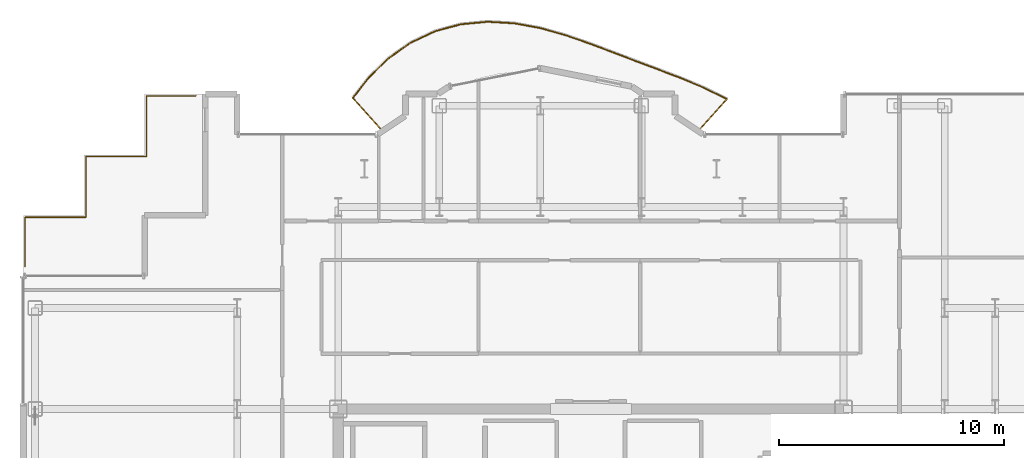
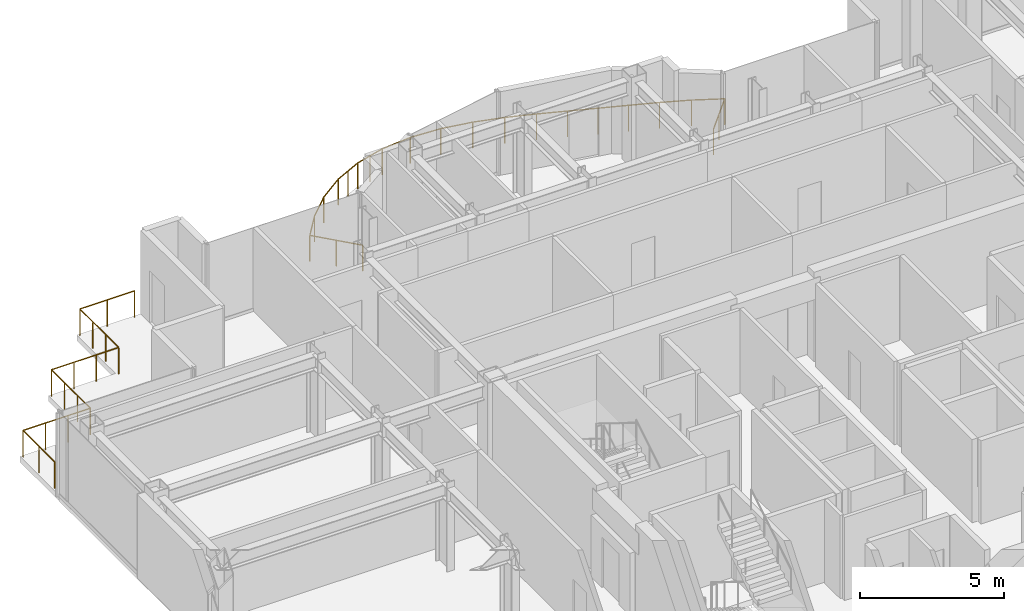
# One storey, part 22 of 22: 2 railings.
"""IFC4 building model written with IfcOpenShell, lengths in metres."""

from ifc_helpers import new_model, si_unit, direction, frame, origin, origin_2d, place, context, subcontext, project, spatial, circle, extrude, material, type_object, element, save


model = new_model("IFC4")

# Units and contexts
model_context = context("Model", 3, precision=1e-05, world=origin(), true_north=direction((0.0, 1.0)))
body_context = subcontext(model_context, "Body", "Model", "MODEL_VIEW")
ifc_project = project(units=[si_unit("LENGTHUNIT", "METRE"), si_unit("AREAUNIT", "SQUARE_METRE"), si_unit("VOLUMEUNIT", "CUBIC_METRE"), si_unit("PLANEANGLEUNIT", "RADIAN"), si_unit("MASSUNIT", "GRAM", prefix="KILO")], contexts=[model_context])

# Site, building, storey
site_placement = place(None, origin())
site = spatial("IfcSite", under=ifc_project, at=site_placement, CompositionType="ELEMENT")
building_placement = place(site_placement, origin())
building = spatial("IfcBuilding", under=site, at=building_placement, Name="Nefas-Gora Pilgrimage Tower", CompositionType="ELEMENT")
storey_placement = place(building_placement, frame((0.0, 0.0, 240.800048828125)))
storey = spatial("IfcBuildingStorey", under=building, at=storey_placement, Name="L60", CompositionType="ELEMENT", Elevation=240.800048828125)

# Railings
ifc_material = material(Name="Laminated safety glass and stainless steel", Category="steel")
railing_type_1 = type_object("IfcRailingType", Name="RLG-BAL-1100", PredefinedType="BALUSTRADE", material=ifc_material)
railing_1_placement = place(storey_placement, frame((4.802490234375, 21.402587890625, 0.0)))
element("IfcRailing", 1, at=railing_1_placement, inside=storey, type_object=railing_type_1, Name="L60 Wave Balcony Balustrade N1", PredefinedType="BALUSTRADE", context=body_context, shape_type="SweptSolid", body=[
    extrude(circle(Radius=0.02392578125, at=origin_2d()), frame((0.0, 0.0, 1.09619140625), z_axis=(0.669129721026, 0.743145622634, 0.0), x_axis=(-0.743145622634, 0.669129721026, 0.0)), (0.0, 0.0, 1.0), 1.880126953125),
    extrude(circle(Radius=0.02392578125, at=origin_2d()), frame((1.258056640625, 1.397216796875, 1.09619140625), z_axis=(-0.897530866126, 0.440951634934, 0.0), x_axis=(-0.440951634934, -0.897530866126, 0.0)), (0.0, 0.0, 1.0), 1.156005859375),
    extrude(circle(Radius=0.02392578125, at=origin_2d()), frame((0.220458984375, 1.906982421875, 1.09619140625), z_axis=(-0.923243625246, 0.38421505494, 0.0), x_axis=(-0.38421505494, -0.923243625246, 0.0)), (0.0, 0.0, 1.0), 1.1259765625),
    extrude(circle(Radius=0.02392578125, at=origin_2d()), frame((-0.819091796875, 2.339599609375, 1.09619140625), z_axis=(-0.934374803471, 0.356291631447, 0.0), x_axis=(-0.356291631447, -0.934374803471, 0.0)), (0.0, 0.0, 1.0), 1.096435546875),
    extrude(circle(Radius=0.02392578125, at=origin_2d()), frame((-1.843505859375, 2.730224609375, 1.09619140625), z_axis=(-0.936142832811, 0.351619960436, 0.0), x_axis=(-0.351619960436, -0.936142832811, 0.0)), (0.0, 0.0, 1.0), 1.07763671875),
    extrude(circle(Radius=0.02392578125, at=origin_2d()), frame((-2.852294921875, 3.109130859375, 1.09619140625), z_axis=(-0.934584678215, 0.355740747239, 0.0), x_axis=(-0.355740747239, -0.934584678215, 0.0)), (0.0, 0.0, 1.0), 1.076904296875),
    extrude(circle(Radius=0.02392578125, at=origin_2d()), frame((-3.858642578125, 3.4921875, 1.09619140625), z_axis=(-0.935740767911, 0.352688552791, 0.0), x_axis=(-0.352688552791, -0.935740767911, 0.0)), (0.0, 0.0, 1.0), 1.09375),
    extrude(circle(Radius=0.02392578125, at=origin_2d()), frame((-4.882080078125, 3.8779296875, 1.09619140625), z_axis=(-0.944898112614, 0.327364562496, 0.0), x_axis=(-0.327364562496, -0.944898112614, 0.0)), (0.0, 0.0, 1.0), 1.122314453125),
    extrude(circle(Radius=0.02392578125, at=origin_2d()), frame((-5.942626953125, 4.245361328125, 1.09619140625), z_axis=(-0.96246102168, 0.271419936162, 0.0), x_axis=(-0.271419936162, -0.96246102168, 0.0)), (0.0, 0.0, 1.0), 1.153076171875),
    extrude(circle(Radius=0.02392578125, at=origin_2d()), frame((-7.052490234375, 4.558349609375, 1.09619140625), z_axis=(-0.983449300548, 0.181183534713, 0.0), x_axis=(-0.181183534713, -0.983449300548, 0.0)), (0.0, 0.0, 1.0), 1.177734375),
    extrude(circle(Radius=0.02392578125, at=origin_2d()), frame((-8.210693359375, 4.771728515625, 1.09619140625), z_axis=(-0.998344239726, 0.057521987157, 0.0), x_axis=(-0.057521987157, -0.998344239726, 0.0)), (0.0, 0.0, 1.0), 1.192626953125),
    extrude(circle(Radius=0.02392578125, at=origin_2d()), frame((-9.4013671875, 4.84033203125, 1.09619140625), z_axis=(-0.995583812975, -0.093876894617, 0.0), x_axis=(0.093876894617, -0.995583812975, 0.0)), (0.0, 0.0, 1.0), 1.198974609375),
    extrude(circle(Radius=0.02392578125, at=origin_2d()), frame((-10.594970703125, 4.727783203125, 1.09619140625), z_axis=(-0.965413215034, -0.260724613793, 0.0), x_axis=(0.260724613793, -0.965413215034, 0.0)), (0.0, 0.0, 1.0), 1.200439453125),
    extrude(circle(Radius=0.02392578125, at=origin_2d()), frame((-11.75390625, 4.414794921875, 1.09619140625), z_axis=(-0.904015108166, -0.427500507844, 0.0), x_axis=(0.427500507844, -0.904015108166, 0.0)), (0.0, 0.0, 1.0), 1.200439453125),
    extrude(circle(Radius=0.02392578125, at=origin_2d()), frame((-12.839111328125, 3.901611328125, 1.09619140625), z_axis=(-0.816392240184, -0.577497801007, 0.0), x_axis=(0.577497801007, -0.816392240184, 0.0)), (0.0, 0.0, 1.0), 1.19970703125),
    extrude(circle(Radius=0.02392578125, at=origin_2d()), frame((-13.818603515625, 3.208740234375, 1.09619140625), z_axis=(-0.715228965311, -0.698890211106, 0.0), x_axis=(0.698890211106, -0.715228965311, 0.0)), (0.0, 0.0, 1.0), 1.1953125),
    extrude(circle(Radius=0.02392578125, at=origin_2d()), frame((-14.673583984375, 2.373291015625, 1.09619140625), z_axis=(-0.615495930297, -0.78814006356, 0.0), x_axis=(0.78814006356, -0.615495930297, 0.0)), (0.0, 0.0, 1.0), 1.18359375),
    extrude(circle(Radius=0.02392578125, at=origin_2d()), frame((-15.402099609375, 1.4404296875, 1.09619140625), z_axis=(0.669173462492, -0.743106235404, 0.0), x_axis=(0.743106235404, 0.669173462492, 0.0)), (0.0, 0.0, 1.0), 1.9384765625),
    extrude(circle(Radius=0.02099609375, at=origin_2d()), origin(), (0.0, 0.0, 1.0), 1.072021484375),
    extrude(circle(Radius=0.02099609375, at=origin_2d()), frame((0.62890625, 0.69873046875, 0.0)), (0.0, 0.0, 1.0), 1.072021484375),
    extrude(circle(Radius=0.02099609375, at=origin_2d()), frame((1.258056640625, 1.397216796875, 0.0)), (0.0, 0.0, 1.0), 1.072021484375),
    extrude(circle(Radius=0.02099609375, at=origin_2d()), frame((0.220458984375, 1.906982421875, 0.0)), (0.0, 0.0, 1.0), 1.072021484375),
    extrude(circle(Radius=0.02099609375, at=origin_2d()), frame((-0.819091796875, 2.339599609375, 0.0)), (0.0, 0.0, 1.0), 1.072021484375),
    extrude(circle(Radius=0.02099609375, at=origin_2d()), frame((-1.843505859375, 2.730224609375, 0.0)), (0.0, 0.0, 1.0), 1.072021484375),
    extrude(circle(Radius=0.02099609375, at=origin_2d()), frame((-2.852294921875, 3.109130859375, 0.0)), (0.0, 0.0, 1.0), 1.072021484375),
    extrude(circle(Radius=0.02099609375, at=origin_2d()), frame((-3.858642578125, 3.4921875, 0.0)), (0.0, 0.0, 1.0), 1.072021484375),
    extrude(circle(Radius=0.02099609375, at=origin_2d()), frame((-4.882080078125, 3.8779296875, 0.0)), (0.0, 0.0, 1.0), 1.072021484375),
    extrude(circle(Radius=0.02099609375, at=origin_2d()), frame((-5.942626953125, 4.245361328125, 0.0)), (0.0, 0.0, 1.0), 1.072021484375),
    extrude(circle(Radius=0.02099609375, at=origin_2d()), frame((-7.052490234375, 4.558349609375, 0.0)), (0.0, 0.0, 1.0), 1.072021484375),
    extrude(circle(Radius=0.02099609375, at=origin_2d()), frame((-8.210693359375, 4.771728515625, 0.0)), (0.0, 0.0, 1.0), 1.072021484375),
    extrude(circle(Radius=0.02099609375, at=origin_2d()), frame((-9.4013671875, 4.84033203125, 0.0)), (0.0, 0.0, 1.0), 1.072021484375),
    extrude(circle(Radius=0.02099609375, at=origin_2d()), frame((-10.594970703125, 4.727783203125, 0.0)), (0.0, 0.0, 1.0), 1.072021484375),
    extrude(circle(Radius=0.02099609375, at=origin_2d()), frame((-11.17431640625, 4.5712890625, 0.0)), (0.0, 0.0, 1.0), 1.072021484375),
    extrude(circle(Radius=0.02099609375, at=origin_2d()), frame((-11.75390625, 4.414794921875, 0.0)), (0.0, 0.0, 1.0), 1.072021484375),
    extrude(circle(Radius=0.02099609375, at=origin_2d()), frame((-12.29638671875, 4.158203125, 0.0)), (0.0, 0.0, 1.0), 1.072021484375),
    extrude(circle(Radius=0.02099609375, at=origin_2d()), frame((-12.839111328125, 3.901611328125, 0.0)), (0.0, 0.0, 1.0), 1.072021484375),
    extrude(circle(Radius=0.02099609375, at=origin_2d()), frame((-13.818603515625, 3.208740234375, 0.0)), (0.0, 0.0, 1.0), 1.072021484375),
    extrude(circle(Radius=0.02099609375, at=origin_2d()), frame((-14.673583984375, 2.373291015625, 0.0)), (0.0, 0.0, 1.0), 1.072021484375),
    extrude(circle(Radius=0.02099609375, at=origin_2d()), frame((-15.402099609375, 1.4404296875, 0.0)), (0.0, 0.0, 1.0), 1.072021484375),
    extrude(circle(Radius=0.02099609375, at=origin_2d()), frame((-14.75341796875, 0.72021484375, 0.0)), (0.0, 0.0, 1.0), 1.072021484375),
    extrude(circle(Radius=0.02099609375, at=origin_2d()), frame((-14.10498046875, 0.0, 0.0)), (0.0, 0.0, 1.0), 1.072021484375),
])
railing_type_2 = type_object("IfcRailingType", Name="RLG-TER-1150", PredefinedType="BALUSTRADE", material=ifc_material)
railing_2_placement = place(storey_placement, frame((-25.18994140625, 15.340087890625, 0.0)))
element("IfcRailing", 2, at=railing_2_placement, inside=storey, type_object=railing_type_2, Name="L60 Terrace Continuous Balustrade TER-SP-NW.1", PredefinedType="BALUSTRADE", context=body_context, shape_type="SweptSolid", body=[
    extrude(circle(Radius=0.02392578125, at=origin_2d()), frame((0.0, 0.0, 1.1259765625), z_axis=(0.0, 1.0, 0.0), x_axis=(-1.0, 0.0, 0.0)), (0.0, 0.0, 1.0), 2.199951171875),
    extrude(circle(Radius=0.02392578125, at=origin_2d()), frame((0.0, 2.199951171875, 1.1259765625), z_axis=(1.0, 0.0, 0.0), x_axis=(0.0, 1.0, 0.0)), (0.0, 0.0, 1.0), 2.699951171875),
    extrude(circle(Radius=0.02392578125, at=origin_2d()), frame((2.699951171875, 2.199951171875, 1.1259765625), z_axis=(0.0, 1.0, 0.0), x_axis=(-1.0, 0.0, 0.0)), (0.0, 0.0, 1.0), 2.699951171875),
    extrude(circle(Radius=0.02392578125, at=origin_2d()), frame((2.699951171875, 4.89990234375, 1.1259765625), z_axis=(1.0, 0.0, 0.0), x_axis=(0.0, 1.0, 0.0)), (0.0, 0.0, 1.0), 2.699951171875),
    extrude(circle(Radius=0.02392578125, at=origin_2d()), frame((5.39990234375, 4.89990234375, 1.1259765625), z_axis=(0.0, 1.0, 0.0), x_axis=(-1.0, 0.0, 0.0)), (0.0, 0.0, 1.0), 2.699951171875),
    extrude(circle(Radius=0.02392578125, at=origin_2d()), frame((5.39990234375, 7.599853515625, 1.1259765625), z_axis=(1.0, 0.0, 0.0), x_axis=(0.0, 1.0, 0.0)), (0.0, 0.0, 1.0), 2.199951171875),
    extrude(circle(Radius=0.02099609375, at=origin_2d()), origin(), (0.0, 0.0, 1.0), 1.101806640625),
    extrude(circle(Radius=0.02099609375, at=origin_2d()), frame((0.0, 1.10009765625, 0.0)), (0.0, 0.0, 1.0), 1.101806640625),
    extrude(circle(Radius=0.02099609375, at=origin_2d()), frame((0.0, 2.199951171875, 0.0)), (0.0, 0.0, 1.0), 1.101806640625),
    extrude(circle(Radius=0.02099609375, at=origin_2d()), frame((0.89990234375, 2.199951171875, 0.0)), (0.0, 0.0, 1.0), 1.101806640625),
    extrude(circle(Radius=0.02099609375, at=origin_2d()), frame((1.800048828125, 2.199951171875, 0.0)), (0.0, 0.0, 1.0), 1.101806640625),
    extrude(circle(Radius=0.02099609375, at=origin_2d()), frame((2.699951171875, 2.199951171875, 0.0)), (0.0, 0.0, 1.0), 1.101806640625),
    extrude(circle(Radius=0.02099609375, at=origin_2d()), frame((2.699951171875, 3.099853515625, 0.0)), (0.0, 0.0, 1.0), 1.101806640625),
    extrude(circle(Radius=0.02099609375, at=origin_2d()), frame((2.699951171875, 4.0, 0.0)), (0.0, 0.0, 1.0), 1.101806640625),
    extrude(circle(Radius=0.02099609375, at=origin_2d()), frame((2.699951171875, 4.89990234375, 0.0)), (0.0, 0.0, 1.0), 1.101806640625),
    extrude(circle(Radius=0.02099609375, at=origin_2d()), frame((3.599853515625, 4.89990234375, 0.0)), (0.0, 0.0, 1.0), 1.101806640625),
    extrude(circle(Radius=0.02099609375, at=origin_2d()), frame((4.5, 4.89990234375, 0.0)), (0.0, 0.0, 1.0), 1.101806640625),
    extrude(circle(Radius=0.02099609375, at=origin_2d()), frame((5.39990234375, 4.89990234375, 0.0)), (0.0, 0.0, 1.0), 1.101806640625),
    extrude(circle(Radius=0.02099609375, at=origin_2d()), frame((5.39990234375, 5.7998046875, 0.0)), (0.0, 0.0, 1.0), 1.101806640625),
    extrude(circle(Radius=0.02099609375, at=origin_2d()), frame((5.39990234375, 6.699951171875, 0.0)), (0.0, 0.0, 1.0), 1.101806640625),
    extrude(circle(Radius=0.02099609375, at=origin_2d()), frame((5.39990234375, 7.599853515625, 0.0)), (0.0, 0.0, 1.0), 1.101806640625),
    extrude(circle(Radius=0.02099609375, at=origin_2d()), frame((6.5, 7.599853515625, 0.0)), (0.0, 0.0, 1.0), 1.101806640625),
    extrude(circle(Radius=0.02099609375, at=origin_2d()), frame((7.599853515625, 7.599853515625, 0.0)), (0.0, 0.0, 1.0), 1.101806640625),
])

save(model, "model.ifc")
